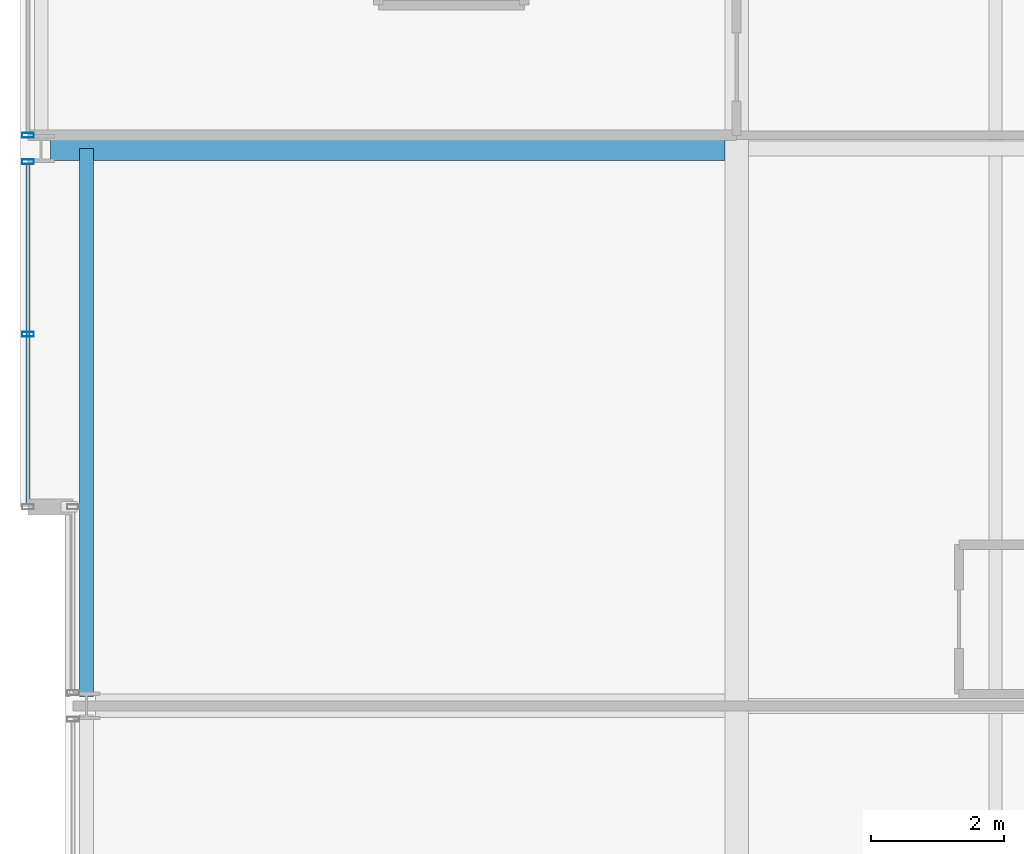
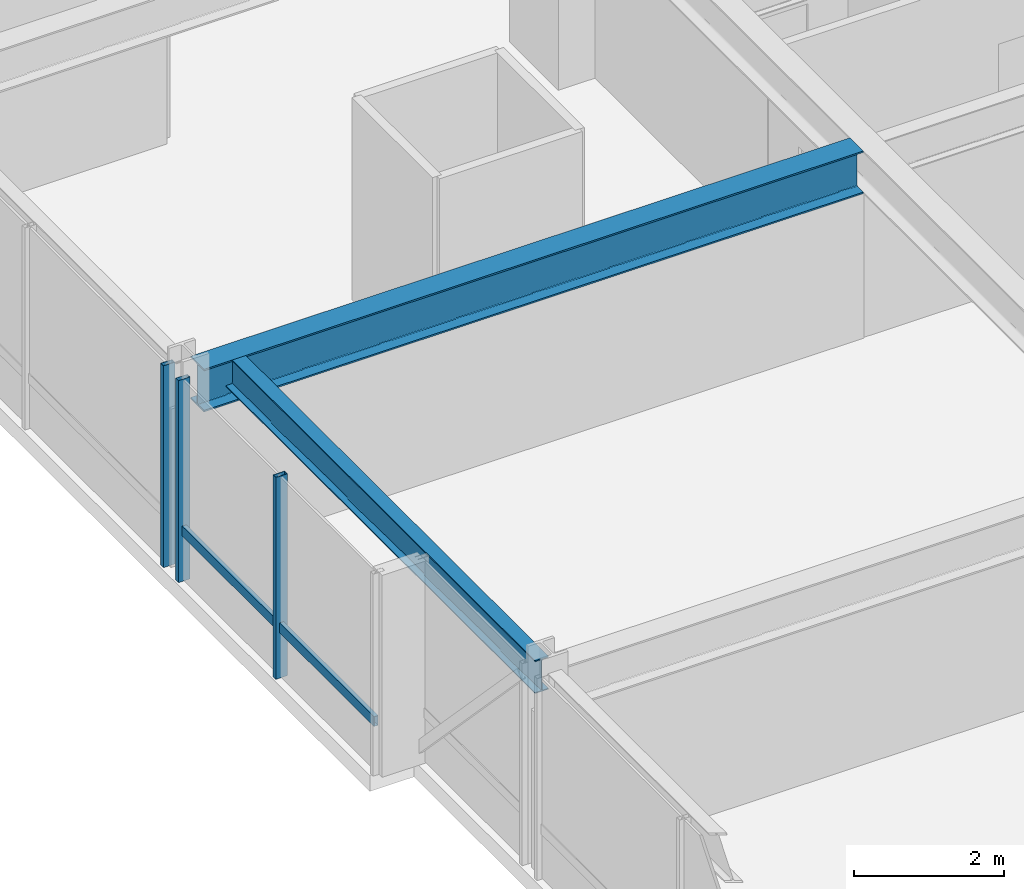
# One storey, part 16 of 33: 4 members, 2 beams, 2 elements without a shape of their own.
"""IFC4 building model written with IfcOpenShell, lengths in metres."""

from ifc_helpers import new_model, si_unit, direction, frame, origin, origin_2d, place, context, subcontext, project, spatial, hollow_rectangle, i_section, extrude, material, layer, layer_set, material_profile, profile_set, type_object, element, aggregate, save


model = new_model("IFC4")

# Units and contexts
model_context = context("Model", 3, precision=1e-05, world=origin(), true_north=direction((0.0, 1.0)))
body_context = subcontext(model_context, "Body", "Model", "MODEL_VIEW")
ifc_project = project(units=[si_unit("LENGTHUNIT", "METRE"), si_unit("AREAUNIT", "SQUARE_METRE"), si_unit("VOLUMEUNIT", "CUBIC_METRE"), si_unit("PLANEANGLEUNIT", "RADIAN"), si_unit("MASSUNIT", "GRAM", prefix="KILO")], contexts=[model_context])

# Site, building, storey
site_placement = place(None, origin())
site = spatial("IfcSite", under=ifc_project, at=site_placement, CompositionType="ELEMENT")
building_placement = place(site_placement, origin())
building = spatial("IfcBuilding", under=site, at=building_placement, Name="Drelvath Grand Hotel", CompositionType="ELEMENT")
storey_placement = place(building_placement, frame((0.0, 0.0, 153.949951171875)))
storey = spatial("IfcBuildingStorey", under=building, at=storey_placement, Name="L39", CompositionType="ELEMENT", Elevation=153.949951171875)

# Curtain wall, members
ifc_material_1 = material(Name="Brushed Pale-Silver Anodised Aluminium Frame", Category="aluminium")
ifc_layer = layer(ifc_material_1, 0.199951171875)
ifc_layer_set = layer_set([ifc_layer], Name="Brushed Pale-Silver Anodised Aluminium Frame")
curtain_wall_type = type_object("IfcCurtainWallType", Name="Stick Curtain Wall CW-04 Brushed Silver Upper-Mid", PredefinedType="NOTDEFINED", material=ifc_layer_set)
curtain_wall_1_placement = place(storey_placement, origin())
curtain_wall_1 = element("IfcCurtainWall", 1, at=curtain_wall_1_placement, inside=storey, type_object=curtain_wall_type, Name="L39 CW-04 Curtain Wall CW04-L39-WN1", PredefinedType="NOTDEFINED")
ifc_material_profile_1 = material_profile(ifc_material_1, hollow_rectangle(XDim=0.06494140625, YDim=0.159912109375, WallThickness=0.00390625, at=origin_2d()), Name="HSS160X65X4")
ifc_profile_set_1 = profile_set([ifc_material_profile_1], Name="Brushed Pale-Silver Anodised Aluminium Frame")
member_type_1 = type_object("IfcMemberType", Name="Curtain Wall Horizontal Transom CW-04 HSS160X65X4", PredefinedType="USERDEFINED", material=ifc_profile_set_1)
member_1_placement = place(storey_placement, frame((-26.8798828125, 30.0400390625, 0.822509765625), z_axis=(0.0, 1.0, 0.0), x_axis=(-1.0, 0.0, 0.0)))
member_1 = element("IfcMember", 2, at=member_1_placement, type_object=member_type_1, Name="CW04-L39-WN1 Sill Transom", ObjectType="TRANSOM", PredefinedType="USERDEFINED", context=body_context, shape_type="SweptSolid", body=[
    extrude(hollow_rectangle(XDim=0.06494140625, YDim=0.159912109375, WallThickness=0.00390625, at=origin_2d()), origin(), (0.0, 0.0, 1.0), 5.119873046875),
])
ifc_material_profile_2 = material_profile(ifc_material_1, hollow_rectangle(XDim=0.074951171875, YDim=0.179931640625, WallThickness=0.0048828125, at=origin_2d()), Name="HSS180X75X5")
ifc_profile_set_2 = profile_set([ifc_material_profile_2], Name="Brushed Pale-Silver Anodised Aluminium Frame")
member_type_2 = type_object("IfcMemberType", Name="Curtain Wall Vertical Mullion CW-04 HSS180X75X5", PredefinedType="MULLION", material=ifc_profile_set_2)
member_2_placement = place(storey_placement, frame((-26.8798828125, 32.60009765625, 0.0), z_axis=(0.0, 0.0, 1.0), x_axis=(0.0, 1.0, 0.0)))
member_2 = element("IfcMember", 3, at=member_2_placement, type_object=member_type_2, Name="CW04-L39-WN1 Mullion 2", PredefinedType="MULLION", context=body_context, shape_type="SweptSolid", body=[
    extrude(hollow_rectangle(XDim=0.074951171875, YDim=0.179931640625, WallThickness=0.0048828125, at=origin_2d()), origin(), (0.0, 0.0, 1.0), 3.2900390625),
])
member_3_placement = place(storey_placement, frame((-26.8798828125, 35.199951171875, 0.0), z_axis=(0.0, 0.0, 1.0), x_axis=(0.0, 1.0, 0.0)))
member_3 = element("IfcMember", 4, at=member_3_placement, type_object=member_type_2, Name="CW04-L39-WN1 Mullion 3", PredefinedType="MULLION", context=body_context, shape_type="SweptSolid", body=[
    extrude(hollow_rectangle(XDim=0.074951171875, YDim=0.179931640625, WallThickness=0.0048828125, at=origin_2d()), origin(), (0.0, 0.0, 1.0), 3.2900390625),
])
aggregate(curtain_wall_1, [member_2, member_3, member_1])

# Curtain wall, member
curtain_wall_2_placement = place(storey_placement, origin())
curtain_wall_2 = element("IfcCurtainWall", 5, at=curtain_wall_2_placement, inside=storey, type_object=curtain_wall_type, Name="L39 CW-04 Curtain Wall CW04-L39-WN2", PredefinedType="NOTDEFINED")
member_4_placement = place(storey_placement, frame((-26.8798828125, 35.60009765625, 0.0), z_axis=(0.0, 0.0, 1.0), x_axis=(0.0, 1.0, 0.0)))
member_4 = element("IfcMember", 6, at=member_4_placement, type_object=member_type_2, Name="CW04-L39-WN2 Mullion 1", PredefinedType="MULLION", context=body_context, shape_type="SweptSolid", body=[
    extrude(hollow_rectangle(XDim=0.074951171875, YDim=0.179931640625, WallThickness=0.0048828125, at=origin_2d()), origin(), (0.0, 0.0, 1.0), 3.2900390625),
])
aggregate(curtain_wall_2, [member_4])

# Beams
ifc_material_2 = material(Name="Steel ASTM A992 Gr 50", Category="steel")
ifc_material_profile_3 = material_profile(ifc_material_2, i_section(OverallWidth=0.210205078125, OverallDepth=0.53662109375, WebThickness=0.010986328125, FlangeThickness=0.017333984375, FilletRadius=0.01806640625, at=origin_2d()), Name="W21X68")
ifc_profile_set_3 = profile_set([ifc_material_profile_3], Name="Steel ASTM A992 Gr 50")
beam_type_1 = type_object("IfcBeamType", Name="Perimeter Spandrel Beam W21X68", PredefinedType="SPANDREL", material=ifc_profile_set_3)
beam_1_placement = place(storey_placement, frame((-26.0, 27.139892578125, 3.021728515625), z_axis=(0.0, 1.0, 0.0), x_axis=(-1.0, 0.0, 0.0)))
element("IfcBeam", 7, at=beam_1_placement, inside=storey, type_object=beam_type_1, Name="L39 Spandrel West Mid N", PredefinedType="SPANDREL", context=body_context, shape_type="SweptSolid", body=[
    extrude(i_section(OverallWidth=0.210205078125, OverallDepth=0.53662109375, WebThickness=0.010986328125, FlangeThickness=0.017333984375, FilletRadius=0.01806640625, at=origin_2d()), origin(), (0.0, 0.0, 1.0), 8.260009765625),
])
ifc_material_profile_4 = material_profile(ifc_material_2, i_section(OverallWidth=0.354736328125, OverallDepth=0.695556640625, WebThickness=0.015380859375, FlangeThickness=0.025146484375, FilletRadius=0.02392578125, at=origin_2d()), Name="W27X146")
ifc_profile_set_4 = profile_set([ifc_material_profile_4], Name="Steel ASTM A992 Gr 50")
beam_type_2 = type_object("IfcBeamType", Name="Primary Floor Girder W27X146", PredefinedType="BEAM", material=ifc_profile_set_4)
beam_2_placement = place(storey_placement, frame((-26.5400390625, 35.39990234375, 2.9423828125), z_axis=(1.0, 0.0, 0.0), x_axis=(0.0, 1.0, 0.0)))
element("IfcBeam", 8, at=beam_2_placement, inside=storey, type_object=beam_type_2, Name="L39 West Wing Girder F", PredefinedType="BEAM", context=body_context, shape_type="SweptSolid", body=[
    extrude(i_section(OverallWidth=0.354736328125, OverallDepth=0.695556640625, WebThickness=0.015380859375, FlangeThickness=0.025146484375, FilletRadius=0.02392578125, at=origin_2d()), origin(), (0.0, 0.0, 1.0), 10.16259765625),
])

save(model, "model.ifc")
